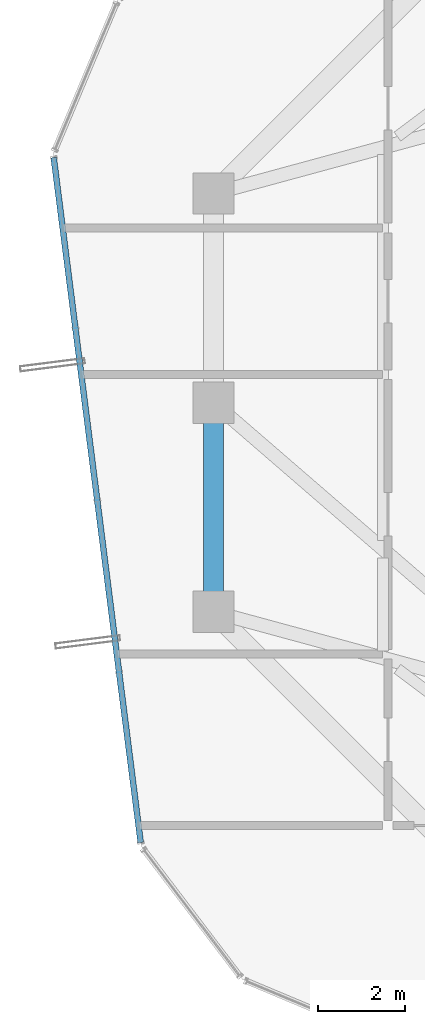
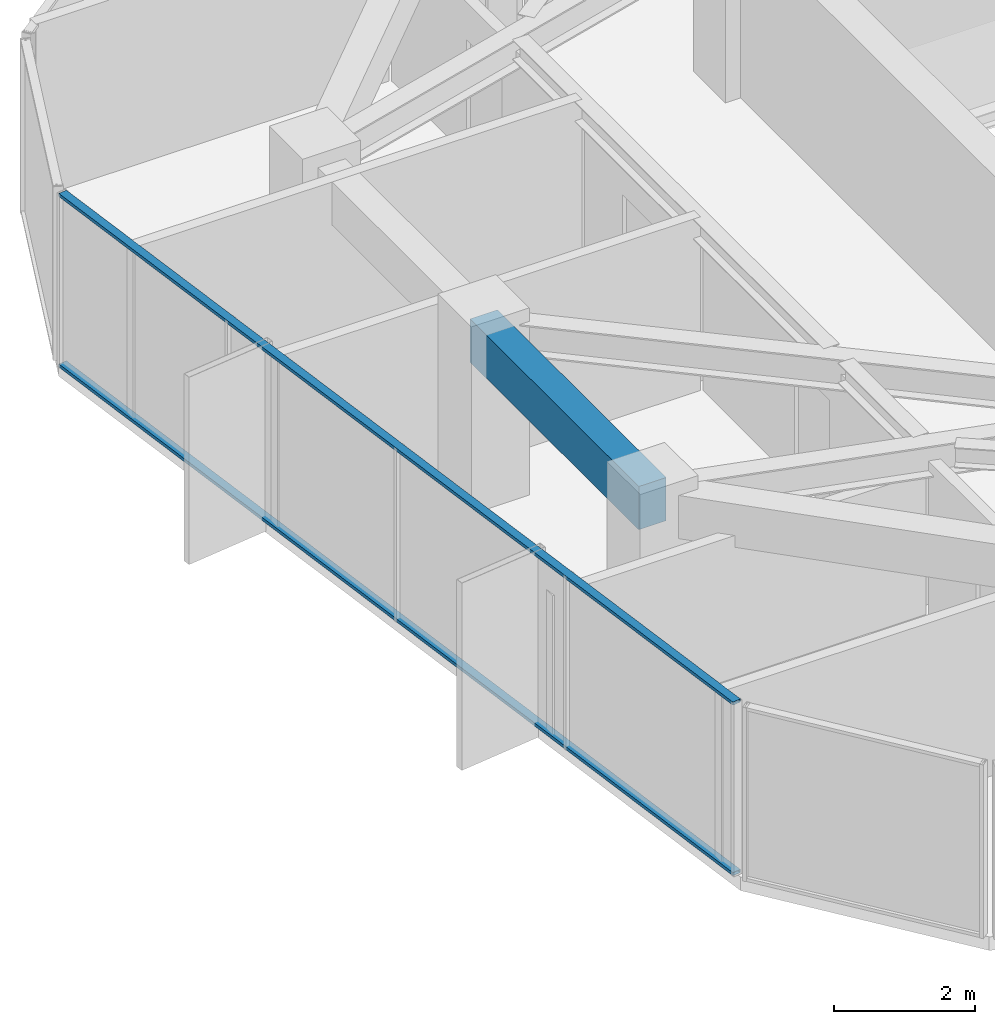
# One storey, part 11 of 32: 2 members, 1 beam, 1 element without a shape of its own.
"""IFC4 building model written with IfcOpenShell, lengths in metres."""

from ifc_helpers import new_model, si_unit, direction, frame, origin, origin_2d, place, context, subcontext, project, spatial, rectangle, hollow_rectangle, extrude, source, transform, mapped, material, layer, layer_set, material_profile, profile_set, type_object, element, aggregate, save


model = new_model("IFC4")

# Units and contexts
model_context = context("Model", 3, precision=1e-05, world=origin(), true_north=direction((0.0, 1.0)))
body_context = subcontext(model_context, "Body", "Model", "MODEL_VIEW")
ifc_project = project(units=[si_unit("LENGTHUNIT", "METRE"), si_unit("AREAUNIT", "SQUARE_METRE"), si_unit("VOLUMEUNIT", "CUBIC_METRE"), si_unit("PLANEANGLEUNIT", "RADIAN"), si_unit("MASSUNIT", "GRAM", prefix="KILO")], contexts=[model_context])

# Site, building, storey
site_placement = place(None, origin())
site = spatial("IfcSite", under=ifc_project, at=site_placement, CompositionType="ELEMENT")
building_placement = place(site_placement, origin())
building = spatial("IfcBuilding", under=site, at=building_placement, Name="Veraguas Prism Commons", CompositionType="ELEMENT")
storey_placement = place(building_placement, frame((0.0, 0.0, 182.10009765625)))
storey = spatial("IfcBuildingStorey", under=building, at=storey_placement, Name="L51", CompositionType="ELEMENT", Elevation=182.10009765625)

# Beam
ifc_material_1 = material(Name="Concrete C50/60", Category="concrete")
ifc_material_profile_1 = material_profile(ifc_material_1, rectangle(XDim=0.449951171875, YDim=0.75, at=origin_2d()), Name="RC450X750")
ifc_profile_set_1 = profile_set([ifc_material_profile_1], Name="Concrete C50/60")
beam_type = type_object("IfcBeamType", Name="Perimeter Spandrel Upper RC 450x750", PredefinedType="SPANDREL", material=ifc_profile_set_1)
beam_placement = place(storey_placement, frame((9.10009765625, 24.0, 2.639892578125), z_axis=(0.0, -1.0, 0.0), x_axis=(1.0, 0.0, 0.0)))
element("IfcBeam", 1, at=beam_placement, inside=storey, type_object=beam_type, Name="Perimeter Spandrel Beam L51-SP08", PredefinedType="SPANDREL", context=body_context, shape_type="SweptSolid", body=[
    extrude(rectangle(XDim=0.449951171875, YDim=0.75, at=origin_2d()), origin(), (0.0, 0.0, 1.0), 4.800048828125),
])

# Curtain wall, members
ifc_material_2 = material(Name="Anodised aluminium EN AW-6063 T6", Category="aluminium")
ifc_layer = layer(ifc_material_2, 0.14990234375, Name="Unitised Flush Curtain Wall Zone 3", Category="aluminium")
ifc_layer_set = layer_set([ifc_layer], Name="Anodised aluminium EN AW-6063 T6")
curtain_wall_type = type_object("IfcCurtainWallType", Name="Unitised Flush Curtain Wall Zone 3", PredefinedType="NOTDEFINED", material=ifc_layer_set)
curtain_wall_placement = place(storey_placement, origin())
curtain_wall = element("IfcCurtainWall", 2, at=curtain_wall_placement, inside=storey, type_object=curtain_wall_type, Name="Tower Facade Curtain Wall L51-F3", PredefinedType="NOTDEFINED")
ifc_material_profile_2 = material_profile(ifc_material_2, hollow_rectangle(XDim=0.054931640625, YDim=0.135009765625, WallThickness=0.0029296875, at=origin_2d()), Name="AL55X135X3")
ifc_profile_set_2 = profile_set([ifc_material_profile_2], Name="Anodised aluminium EN AW-6063 T6")
member_type = type_object("IfcMemberType", Name="Curtain Wall Transom Standard AL 55x135x3", PredefinedType="USERDEFINED", material=ifc_profile_set_2)
shared_shape = source(origin(), body_context, "Body", "SweptSolid", [
    extrude(hollow_rectangle(XDim=0.054931640625, YDim=0.135009765625, WallThickness=0.0029296875, at=origin_2d()), origin(), (0.0, 0.0, 1.0), 15.842529296875),
])
member_1_placement = place(storey_placement, frame((5.432861328125, 29.626220703125, 0.02734375), z_axis=(0.126010812661, -0.992028868074, 0.0), x_axis=(0.0, 0.0, 1.0)))
member_1 = element("IfcMember", 3, at=member_1_placement, type_object=member_type, Name="CW-Z3 Transom 1", ObjectType="TRANSOM", PredefinedType="USERDEFINED", context=body_context, shape_type="MappedRepresentation", body=[
    mapped(shared_shape, transform((0.0, 0.0, 0.0), scale=1.0)),
])
member_2_placement = place(storey_placement, frame((5.432861328125, 29.626220703125, 2.9873046875), z_axis=(0.126010812661, -0.992028868074, 0.0), x_axis=(0.0, 0.0, 1.0)))
member_2 = element("IfcMember", 4, at=member_2_placement, type_object=member_type, Name="CW-Z3 Transom 2", ObjectType="TRANSOM", PredefinedType="USERDEFINED", context=body_context, shape_type="MappedRepresentation", body=[
    mapped(shared_shape, transform((0.0, 0.0, 0.0), scale=1.0)),
])
aggregate(curtain_wall, [member_1, member_2])

save(model, "model.ifc")
